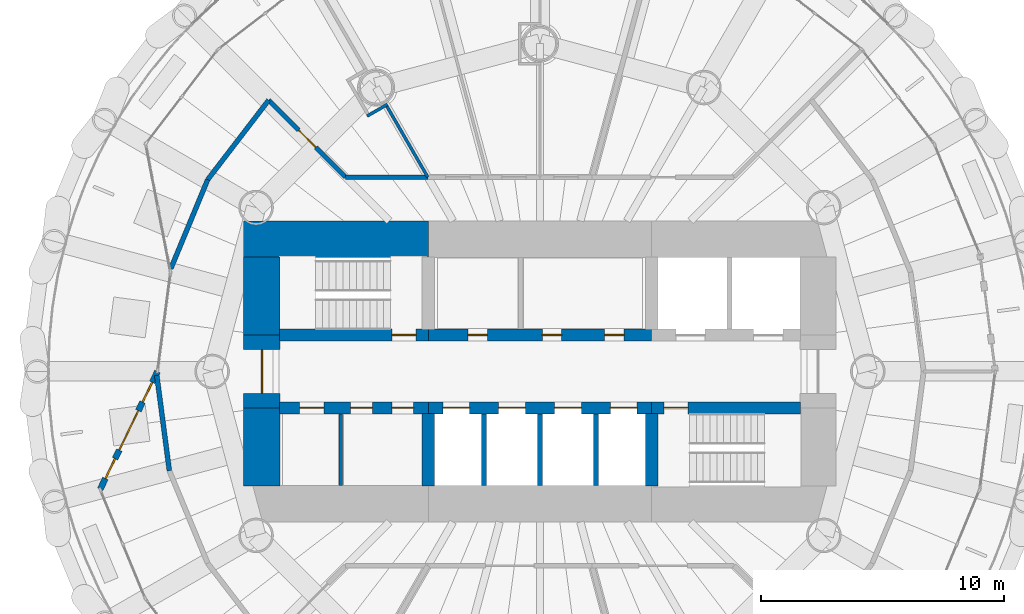
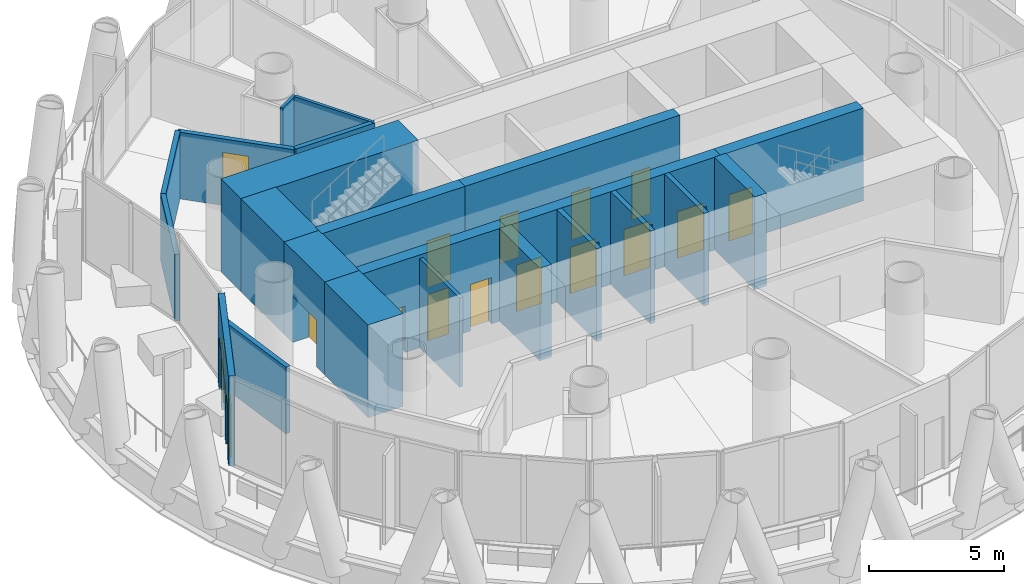
# One storey, part 9 of 15: 23 walls, 15 doors, 2 windows, 17 openings.
"""IFC4 building model written with IfcOpenShell, lengths in metres."""

from ifc_helpers import new_model, si_unit, direction, frame, frame_2d, origin, place, context, subcontext, project, spatial, rectangle, extrude, material, layer, layer_set, type_object, element, fill, save


model = new_model("IFC4")

# Units and contexts
model_context = context("Model", 3, precision=1e-05, world=origin(), true_north=direction((0.0, 1.0)))
body_context = subcontext(model_context, "Body", "Model", "MODEL_VIEW")
ifc_project = project(units=[si_unit("LENGTHUNIT", "METRE"), si_unit("AREAUNIT", "SQUARE_METRE"), si_unit("VOLUMEUNIT", "CUBIC_METRE"), si_unit("PLANEANGLEUNIT", "RADIAN"), si_unit("MASSUNIT", "GRAM", prefix="KILO")], contexts=[model_context])

# Site, building, storey
site_placement = place(None, origin())
site = spatial("IfcSite", under=ifc_project, at=site_placement, CompositionType="ELEMENT")
building_placement = place(site_placement, origin())
building = spatial("IfcBuilding", under=site, at=building_placement, Name="Qaws Media Tower", CompositionType="ELEMENT")
storey_placement = place(building_placement, frame((0.0, 0.0, 273.800048828125)))
storey = spatial("IfcBuildingStorey", under=building, at=storey_placement, Name="L63", CompositionType="ELEMENT", Elevation=273.800048828125)

# Wall, openings, door, windows
ifc_material_1 = material(Name="Precast concrete, exposed finish", Category="concrete")
ifc_layer_1 = layer(ifc_material_1, 0.25)
ifc_layer_set_1 = layer_set([ifc_layer_1], Name="Balcony door wall 250")
wall_type_1 = type_object("IfcWallType", Name="Balcony door wall 250", PredefinedType="SOLIDWALL", material=ifc_layer_set_1)
wall_1_placement = place(storey_placement, frame((44.25, 50.0, 0.0), z_axis=(0.0, 0.0, 1.0), x_axis=(-0.437506254462, -0.899215367588, 0.0)))
wall_1 = element("IfcWall", 1, at=wall_1_placement, inside=storey, type_object=wall_type_1, Name="W288 EW1 balcony door wall L63-13", PredefinedType="SOLIDWALL", context=body_context, shape_type="SweptSolid", body=[
    extrude(rectangle(XDim=5.396728515625, YDim=0.25, at=frame_2d((2.6982421875, 0.0))), origin(), (0.0, 0.0, 1.0), 4.0400390625),
])
opening_1_placement = place(wall_1_placement, frame((1.79833984375, 0.0, 0.0)))
opening_1 = element("IfcOpeningElement", 2, at=opening_1_placement, cuts=wall_1, Name="Opening D7", PredefinedType="OPENING", context=body_context, shape_type="SweptSolid", body=[
    extrude(rectangle(XDim=1.800048828125, YDim=2.39990234375, at=frame_2d((0.89990234375, 1.199951171875))), frame((0.0, 0.135009765625, 0.0), z_axis=(0.0, -1.0, 0.0), x_axis=(1.0, 0.0, 0.0)), (0.0, 0.0, 1.0), 0.27001953125),
])
opening_2_placement = place(wall_1_placement, frame((0.498291015625, 0.0, 0.0)))
opening_2 = element("IfcOpeningElement", 3, at=opening_2_placement, cuts=wall_1, Name="Opening W7", PredefinedType="OPENING", context=body_context, shape_type="SweptSolid", body=[
    extrude(rectangle(XDim=0.89990234375, YDim=2.39990234375, at=frame_2d((0.449951171875, 1.199951171875))), frame((0.0, 0.135009765625, 0.0), z_axis=(0.0, -1.0, 0.0), x_axis=(1.0, 0.0, 0.0)), (0.0, 0.0, 1.0), 0.27001953125),
])
opening_3_placement = place(wall_1_placement, frame((3.998291015625, 0.0, 0.0)))
opening_3 = element("IfcOpeningElement", 4, at=opening_3_placement, cuts=wall_1, Name="Opening W7", PredefinedType="OPENING", context=body_context, shape_type="SweptSolid", body=[
    extrude(rectangle(XDim=0.89990234375, YDim=2.39990234375, at=frame_2d((0.449951171875, 1.199951171875))), frame((0.0, 0.135009765625, 0.0), z_axis=(0.0, -1.0, 0.0), x_axis=(1.0, 0.0, 0.0)), (0.0, 0.0, 1.0), 0.27001953125),
])
ifc_material_2 = material(Name="Aluminium and clear glass", Category="aluminium")
door_type_1 = type_object("IfcDoorType", Name="Balcony door pair 1800", OperationType="DOUBLE_DOOR_SLIDING", PredefinedType="DOOR", material=ifc_material_2)
door_1_placement = place(opening_1_placement, origin())
door_1 = element("IfcDoor", 5, at=door_1_placement, inside=storey, type_object=door_type_1, Name="D7 balcony door L63-13 in wall W288", OperationType="DOUBLE_DOOR_SLIDING", OverallHeight=2.39990234375, OverallWidth=1.800048828125, PredefinedType="DOOR", context=body_context, shape_type="SweptSolid", body=[
    extrude(rectangle(XDim=1.800048828125, YDim=2.39990234375, at=frame_2d((0.89990234375, 1.199951171875))), frame((0.0, 0.02490234375, 0.0), z_axis=(0.0, -1.0, 0.0), x_axis=(1.0, 0.0, 0.0)), (0.0, 0.0, 1.0), 0.050048828125),
])
fill(opening_1, door_1)
ifc_material_3 = material(Name="Aluminium and clear glass", Category="aluminium")
window_type = type_object("IfcWindowType", Name="Balcony side window 900", PartitioningType="SINGLE_PANEL", PredefinedType="WINDOW", material=ifc_material_3)
window_1_placement = place(opening_2_placement, origin())
window_1 = element("IfcWindow", 6, at=window_1_placement, inside=storey, type_object=window_type, Name="W1 balcony side light L63-13L", OverallHeight=2.39990234375, OverallWidth=0.89990234375, PartitioningType="SINGLE_PANEL", PredefinedType="WINDOW", context=body_context, shape_type="SweptSolid", body=[
    extrude(rectangle(XDim=0.89990234375, YDim=2.39990234375, at=frame_2d((0.449951171875, 1.199951171875))), frame((0.0, 0.030029296875, 0.0), z_axis=(0.0, -1.0, 0.0), x_axis=(1.0, 0.0, 0.0)), (0.0, 0.0, 1.0), 0.06005859375),
])
fill(opening_2, window_1)
window_2_placement = place(opening_3_placement, origin())
window_2 = element("IfcWindow", 7, at=window_2_placement, inside=storey, type_object=window_type, Name="W1 balcony side light L63-13R", OverallHeight=2.39990234375, OverallWidth=0.89990234375, PartitioningType="SINGLE_PANEL", PredefinedType="WINDOW", context=body_context, shape_type="SweptSolid", body=[
    extrude(rectangle(XDim=0.89990234375, YDim=2.39990234375, at=frame_2d((0.449951171875, 1.199951171875))), frame((0.0, 0.030029296875, 0.0), z_axis=(0.0, -1.0, 0.0), x_axis=(1.0, 0.0, 0.0)), (0.0, 0.0, 1.0), 0.06005859375),
])
fill(opening_3, window_2)

# Wall, opening, door
ifc_material_4 = material(Name="Concrete C60/75", Category="concrete")
ifc_layer_2 = layer(ifc_material_4, 0.5)
ifc_layer_set_2 = layer_set([ifc_layer_2], Name="Core inner wall 500")
wall_type_2 = type_object("IfcWallType", Name="Core inner wall 500", PredefinedType="SHEAR", material=ifc_layer_set_2)
wall_2_placement = place(storey_placement, frame((49.280029296875, 51.5, 0.0), z_axis=(0.0, 0.0, 1.0), x_axis=(1.0, 0.0, 0.0)))
wall_2 = element("IfcWall", 8, at=wall_2_placement, inside=storey, type_object=wall_type_2, Name="W347 SW12 core wall SPNW L63", PredefinedType="SHEAR", context=body_context, shape_type="SweptSolid", body=[
    extrude(rectangle(XDim=6.119873046875, YDim=0.5, at=frame_2d((3.06005859375, 0.0))), origin(), (0.0, 0.0, 1.0), 4.199951171875),
])
opening_4_placement = place(wall_2_placement, frame((4.6201171875, 0.0, 0.0)))
opening_4 = element("IfcOpeningElement", 9, at=opening_4_placement, cuts=wall_2, Name="Opening D1", PredefinedType="OPENING", context=body_context, shape_type="SweptSolid", body=[
    extrude(rectangle(XDim=1.0, YDim=2.10009765625, at=frame_2d((0.5, 1.050048828125))), frame((0.0, 0.260009765625, 0.0), z_axis=(0.0, -1.0, 0.0), x_axis=(1.0, 0.0, 0.0)), (0.0, 0.0, 1.0), 0.52001953125),
])
ifc_material_5 = material(Name="Steel, fire rated", Category="steel")
door_type_2 = type_object("IfcDoorType", Name="Stair door 1000 FD120", OperationType="SINGLE_SWING_LEFT", PredefinedType="DOOR", material=ifc_material_5)
door_2_placement = place(opening_4_placement, origin())
door_2 = element("IfcDoor", 10, at=door_2_placement, inside=storey, type_object=door_type_2, Name="D1 stair S1 door L63 in wall W347", OperationType="SINGLE_SWING_LEFT", OverallHeight=2.10009765625, OverallWidth=1.0, PredefinedType="DOOR", context=body_context, shape_type="SweptSolid", body=[
    extrude(rectangle(XDim=1.0, YDim=2.10009765625, at=frame_2d((0.5, 1.050048828125))), frame((0.0, 0.02490234375, 0.0), z_axis=(0.0, -1.0, 0.0), x_axis=(1.0, 0.0, 0.0)), (0.0, 0.0, 1.0), 0.050048828125),
])
fill(opening_4, door_2)

# Wall, openings, doors
wall_3_placement = place(storey_placement, frame((55.39990234375, 51.5, 0.0), z_axis=(0.0, 0.0, 1.0), x_axis=(1.0, 0.0, 0.0)))
wall_3 = element("IfcWall", 11, at=wall_3_placement, inside=storey, type_object=wall_type_2, Name="W332 SW12 core wall SPN L63", PredefinedType="SHEAR", context=body_context, shape_type="SweptSolid", body=[
    extrude(rectangle(XDim=9.2001953125, YDim=0.5, at=frame_2d((4.60009765625, 0.0))), origin(), (0.0, 0.0, 1.0), 4.199951171875),
])
opening_5_placement = place(wall_3_placement, frame((1.62939453125, 0.0, 0.0)))
opening_5 = element("IfcOpeningElement", 12, at=opening_5_placement, cuts=wall_3, Name="Opening D23", PredefinedType="OPENING", context=body_context, shape_type="SweptSolid", body=[
    extrude(rectangle(XDim=0.800048828125, YDim=2.10009765625, at=frame_2d((0.39990234375, 1.050048828125))), frame((0.0, 0.260009765625, 0.0), z_axis=(0.0, -1.0, 0.0), x_axis=(1.0, 0.0, 0.0)), (0.0, 0.0, 1.0), 0.52001953125),
])
opening_6_placement = place(wall_3_placement, frame((4.6943359375, 0.0, 0.0)))
opening_6 = element("IfcOpeningElement", 13, at=opening_6_placement, cuts=wall_3, Name="Opening D23", PredefinedType="OPENING", context=body_context, shape_type="SweptSolid", body=[
    extrude(rectangle(XDim=0.800048828125, YDim=2.10009765625, at=frame_2d((0.39990234375, 1.050048828125))), frame((0.0, 0.260009765625, 0.0), z_axis=(0.0, -1.0, 0.0), x_axis=(1.0, 0.0, 0.0)), (0.0, 0.0, 1.0), 0.52001953125),
])
opening_7_placement = place(wall_3_placement, frame((7.264892578125, 0.0, 0.0)))
opening_7 = element("IfcOpeningElement", 14, at=opening_7_placement, cuts=wall_3, Name="Opening D23", PredefinedType="OPENING", context=body_context, shape_type="SweptSolid", body=[
    extrude(rectangle(XDim=0.800048828125, YDim=2.10009765625, at=frame_2d((0.39990234375, 1.050048828125))), frame((0.0, 0.260009765625, 0.0), z_axis=(0.0, -1.0, 0.0), x_axis=(1.0, 0.0, 0.0)), (0.0, 0.0, 1.0), 0.52001953125),
])
ifc_material_6 = material(Name="Steel, fire rated", Category="steel")
door_type_3 = type_object("IfcDoorType", Name="Core room door 800x2100", OperationType="SINGLE_SWING_LEFT", PredefinedType="DOOR", material=ifc_material_6)
door_3_placement = place(opening_5_placement, origin())
door_3 = element("IfcDoor", 15, at=door_3_placement, inside=storey, type_object=door_type_3, Name="D23 Ladies toilets door L63 in wall W332", OperationType="SINGLE_SWING_LEFT", OverallHeight=2.10009765625, OverallWidth=0.800048828125, PredefinedType="DOOR", context=body_context, shape_type="SweptSolid", body=[
    extrude(rectangle(XDim=0.800048828125, YDim=2.10009765625, at=frame_2d((0.39990234375, 1.050048828125))), frame((0.0, 0.02490234375, 0.0), z_axis=(0.0, -1.0, 0.0), x_axis=(1.0, 0.0, 0.0)), (0.0, 0.0, 1.0), 0.050048828125),
])
fill(opening_5, door_3)
door_4_placement = place(opening_6_placement, origin())
door_4 = element("IfcDoor", 16, at=door_4_placement, inside=storey, type_object=door_type_3, Name="D23 Gents toilets door L63 2 in wall W332", OperationType="SINGLE_SWING_LEFT", OverallHeight=2.10009765625, OverallWidth=0.800048828125, PredefinedType="DOOR", context=body_context, shape_type="SweptSolid", body=[
    extrude(rectangle(XDim=0.800048828125, YDim=2.10009765625, at=frame_2d((0.39990234375, 1.050048828125))), frame((0.0, 0.02490234375, 0.0), z_axis=(0.0, -1.0, 0.0), x_axis=(1.0, 0.0, 0.0)), (0.0, 0.0, 1.0), 0.050048828125),
])
fill(opening_6, door_4)
door_5_placement = place(opening_7_placement, origin())
door_5 = element("IfcDoor", 17, at=door_5_placement, inside=storey, type_object=door_type_3, Name="D23 Gents toilets door L63 3 in wall W332", OperationType="SINGLE_SWING_LEFT", OverallHeight=2.10009765625, OverallWidth=0.800048828125, PredefinedType="DOOR", context=body_context, shape_type="SweptSolid", body=[
    extrude(rectangle(XDim=0.800048828125, YDim=2.10009765625, at=frame_2d((0.39990234375, 1.050048828125))), frame((0.0, 0.02490234375, 0.0), z_axis=(0.0, -1.0, 0.0), x_axis=(1.0, 0.0, 0.0)), (0.0, 0.0, 1.0), 0.050048828125),
])
fill(opening_7, door_5)

wall_4_placement = place(storey_placement, frame((49.280029296875, 48.5, 0.0), z_axis=(0.0, 0.0, 1.0), x_axis=(1.0, 0.0, 0.0)))
wall_4 = element("IfcWall", 18, at=wall_4_placement, inside=storey, type_object=wall_type_2, Name="W346 SW12 core wall SPSW L63", PredefinedType="SHEAR", context=body_context, shape_type="SweptSolid", body=[
    extrude(rectangle(XDim=6.119873046875, YDim=0.5, at=frame_2d((3.06005859375, 0.0))), origin(), (0.0, 0.0, 1.0), 4.199951171875),
])
opening_8_placement = place(wall_4_placement, frame((0.820068359375, 0.0, 0.0)))
opening_8 = element("IfcOpeningElement", 19, at=opening_8_placement, cuts=wall_4, Name="Opening D4", PredefinedType="OPENING", context=body_context, shape_type="SweptSolid", body=[
    extrude(rectangle(XDim=1.0, YDim=2.10009765625, at=frame_2d((0.5, 1.050048828125))), frame((0.0, 0.260009765625, 0.0), z_axis=(0.0, -1.0, 0.0), x_axis=(1.0, 0.0, 0.0)), (0.0, 0.0, 1.0), 0.52001953125),
])
opening_9_placement = place(wall_4_placement, frame((2.919921875, 0.0, 0.0)))
opening_9 = element("IfcOpeningElement", 20, at=opening_9_placement, cuts=wall_4, Name="Opening D25", PredefinedType="OPENING", context=body_context, shape_type="SweptSolid", body=[
    extrude(rectangle(XDim=0.89990234375, YDim=2.10009765625, at=frame_2d((0.449951171875, 1.050048828125))), frame((0.0, 0.260009765625, 0.0), z_axis=(0.0, -1.0, 0.0), x_axis=(1.0, 0.0, 0.0)), (0.0, 0.0, 1.0), 0.52001953125),
])
opening_10_placement = place(wall_4_placement, frame((4.6201171875, 0.0, 0.0)))
opening_10 = element("IfcOpeningElement", 21, at=opening_10_placement, cuts=wall_4, Name="Opening D25", PredefinedType="OPENING", context=body_context, shape_type="SweptSolid", body=[
    extrude(rectangle(XDim=0.89990234375, YDim=2.10009765625, at=frame_2d((0.449951171875, 1.050048828125))), frame((0.0, 0.260009765625, 0.0), z_axis=(0.0, -1.0, 0.0), x_axis=(1.0, 0.0, 0.0)), (0.0, 0.0, 1.0), 0.52001953125),
])
ifc_material_7 = material(Name="Timber veneered", Category="wood")
door_type_4 = type_object("IfcDoorType", Name="Accessible WC door 1000", OperationType="SLIDING_TO_LEFT", PredefinedType="DOOR", material=ifc_material_7)
door_6_placement = place(opening_8_placement, origin())
door_6 = element("IfcDoor", 22, at=door_6_placement, inside=storey, type_object=door_type_4, Name="D4 toilet door 1 L63 in wall W346", OperationType="SLIDING_TO_LEFT", OverallHeight=2.10009765625, OverallWidth=1.0, PredefinedType="DOOR", context=body_context, shape_type="SweptSolid", body=[
    extrude(rectangle(XDim=1.0, YDim=2.10009765625, at=frame_2d((0.5, 1.050048828125))), frame((0.0, 0.02490234375, 0.0), z_axis=(0.0, -1.0, 0.0), x_axis=(1.0, 0.0, 0.0)), (0.0, 0.0, 1.0), 0.050048828125),
])
fill(opening_8, door_6)
ifc_material_8 = material(Name="Steel, fire rated", Category="steel")
door_type_5 = type_object("IfcDoorType", Name="Core service door 900", OperationType="SINGLE_SWING_RIGHT", PredefinedType="DOOR", material=ifc_material_8)
door_7_placement = place(opening_9_placement, origin())
door_7 = element("IfcDoor", 23, at=door_7_placement, inside=storey, type_object=door_type_5, Name="D25 toilet door 2 L63 in wall W346", OperationType="SINGLE_SWING_RIGHT", OverallHeight=2.10009765625, OverallWidth=0.89990234375, PredefinedType="DOOR", context=body_context, shape_type="SweptSolid", body=[
    extrude(rectangle(XDim=0.89990234375, YDim=2.10009765625, at=frame_2d((0.449951171875, 1.050048828125))), frame((0.0, 0.02490234375, 0.0), z_axis=(0.0, -1.0, 0.0), x_axis=(1.0, 0.0, 0.0)), (0.0, 0.0, 1.0), 0.050048828125),
])
fill(opening_9, door_7)
door_8_placement = place(opening_10_placement, origin())
door_8 = element("IfcDoor", 24, at=door_8_placement, inside=storey, type_object=door_type_5, Name="D25 toilet door 3 L63 in wall W346", OperationType="SINGLE_SWING_RIGHT", OverallHeight=2.10009765625, OverallWidth=0.89990234375, PredefinedType="DOOR", context=body_context, shape_type="SweptSolid", body=[
    extrude(rectangle(XDim=0.89990234375, YDim=2.10009765625, at=frame_2d((0.449951171875, 1.050048828125))), frame((0.0, 0.02490234375, 0.0), z_axis=(0.0, -1.0, 0.0), x_axis=(1.0, 0.0, 0.0)), (0.0, 0.0, 1.0), 0.050048828125),
])
fill(opening_10, door_8)

wall_5_placement = place(storey_placement, frame((55.39990234375, 48.5, 0.0), z_axis=(0.0, 0.0, 1.0), x_axis=(1.0, 0.0, 0.0)))
wall_5 = element("IfcWall", 25, at=wall_5_placement, inside=storey, type_object=wall_type_2, Name="W331 SW12 core wall SPS L63", PredefinedType="SHEAR", context=body_context, shape_type="SweptSolid", body=[
    extrude(rectangle(XDim=9.2001953125, YDim=0.5, at=frame_2d((4.60009765625, 0.0))), origin(), (0.0, 0.0, 1.0), 4.199951171875),
])
opening_11_placement = place(wall_5_placement, frame((0.60009765625, 0.0, 0.0)))
opening_11 = element("IfcOpeningElement", 26, at=opening_11_placement, cuts=wall_5, Name="Opening LD", PredefinedType="OPENING", context=body_context, shape_type="SweptSolid", body=[
    extrude(rectangle(XDim=1.10009765625, YDim=2.10009765625, at=frame_2d((0.550048828125, 1.050048828125))), frame((0.0, 0.260009765625, 0.0), z_axis=(0.0, -1.0, 0.0), x_axis=(1.0, 0.0, 0.0)), (0.0, 0.0, 1.0), 0.52001953125),
])
opening_12_placement = place(wall_5_placement, frame((2.89990234375, 0.0, 0.0)))
opening_12 = element("IfcOpeningElement", 27, at=opening_12_placement, cuts=wall_5, Name="Opening LD", PredefinedType="OPENING", context=body_context, shape_type="SweptSolid", body=[
    extrude(rectangle(XDim=1.10009765625, YDim=2.10009765625, at=frame_2d((0.550048828125, 1.050048828125))), frame((0.0, 0.260009765625, 0.0), z_axis=(0.0, -1.0, 0.0), x_axis=(1.0, 0.0, 0.0)), (0.0, 0.0, 1.0), 0.52001953125),
])
opening_13_placement = place(wall_5_placement, frame((5.199951171875, 0.0, 0.0)))
opening_13 = element("IfcOpeningElement", 28, at=opening_13_placement, cuts=wall_5, Name="Opening LD", PredefinedType="OPENING", context=body_context, shape_type="SweptSolid", body=[
    extrude(rectangle(XDim=1.10009765625, YDim=2.10009765625, at=frame_2d((0.550048828125, 1.050048828125))), frame((0.0, 0.260009765625, 0.0), z_axis=(0.0, -1.0, 0.0), x_axis=(1.0, 0.0, 0.0)), (0.0, 0.0, 1.0), 0.52001953125),
])
opening_14_placement = place(wall_5_placement, frame((7.5, 0.0, 0.0)))
opening_14 = element("IfcOpeningElement", 29, at=opening_14_placement, cuts=wall_5, Name="Opening LD", PredefinedType="OPENING", context=body_context, shape_type="SweptSolid", body=[
    extrude(rectangle(XDim=1.10009765625, YDim=2.10009765625, at=frame_2d((0.550048828125, 1.050048828125))), frame((0.0, 0.260009765625, 0.0), z_axis=(0.0, -1.0, 0.0), x_axis=(1.0, 0.0, 0.0)), (0.0, 0.0, 1.0), 0.52001953125),
])
ifc_material_9 = material(Name="Steel, fire rated", Category="steel")
door_type_6 = type_object("IfcDoorType", Name="Lift landing door 1100", OperationType="SLIDING_TO_LEFT", PredefinedType="DOOR", material=ifc_material_9)
door_9_placement = place(opening_11_placement, origin())
door_9 = element("IfcDoor", 30, at=door_9_placement, inside=storey, type_object=door_type_6, Name="P5 landing door L63 in wall W331", OperationType="SLIDING_TO_LEFT", OverallHeight=2.10009765625, OverallWidth=1.10009765625, PredefinedType="DOOR", context=body_context, shape_type="SweptSolid", body=[
    extrude(rectangle(XDim=1.10009765625, YDim=2.10009765625, at=frame_2d((0.550048828125, 1.050048828125))), frame((0.0, 0.02490234375, 0.0), z_axis=(0.0, -1.0, 0.0), x_axis=(1.0, 0.0, 0.0)), (0.0, 0.0, 1.0), 0.050048828125),
])
fill(opening_11, door_9)
door_10_placement = place(opening_12_placement, origin())
door_10 = element("IfcDoor", 31, at=door_10_placement, inside=storey, type_object=door_type_6, Name="P6 landing door L63 in wall W331", OperationType="SLIDING_TO_LEFT", OverallHeight=2.10009765625, OverallWidth=1.10009765625, PredefinedType="DOOR", context=body_context, shape_type="SweptSolid", body=[
    extrude(rectangle(XDim=1.10009765625, YDim=2.10009765625, at=frame_2d((0.550048828125, 1.050048828125))), frame((0.0, 0.02490234375, 0.0), z_axis=(0.0, -1.0, 0.0), x_axis=(1.0, 0.0, 0.0)), (0.0, 0.0, 1.0), 0.050048828125),
])
fill(opening_12, door_10)
door_11_placement = place(opening_13_placement, origin())
door_11 = element("IfcDoor", 32, at=door_11_placement, inside=storey, type_object=door_type_6, Name="P7 landing door L63 in wall W331", OperationType="SLIDING_TO_LEFT", OverallHeight=2.10009765625, OverallWidth=1.10009765625, PredefinedType="DOOR", context=body_context, shape_type="SweptSolid", body=[
    extrude(rectangle(XDim=1.10009765625, YDim=2.10009765625, at=frame_2d((0.550048828125, 1.050048828125))), frame((0.0, 0.02490234375, 0.0), z_axis=(0.0, -1.0, 0.0), x_axis=(1.0, 0.0, 0.0)), (0.0, 0.0, 1.0), 0.050048828125),
])
fill(opening_13, door_11)
door_12_placement = place(opening_14_placement, origin())
door_12 = element("IfcDoor", 33, at=door_12_placement, inside=storey, type_object=door_type_6, Name="P8 landing door L63 in wall W331", OperationType="SLIDING_TO_LEFT", OverallHeight=2.10009765625, OverallWidth=1.10009765625, PredefinedType="DOOR", context=body_context, shape_type="SweptSolid", body=[
    extrude(rectangle(XDim=1.10009765625, YDim=2.10009765625, at=frame_2d((0.550048828125, 1.050048828125))), frame((0.0, 0.02490234375, 0.0), z_axis=(0.0, -1.0, 0.0), x_axis=(1.0, 0.0, 0.0)), (0.0, 0.0, 1.0), 0.050048828125),
])
fill(opening_14, door_12)

# Wall, opening, door
wall_6_placement = place(storey_placement, frame((64.60009765625, 48.5, 0.0), z_axis=(0.0, 0.0, 1.0), x_axis=(1.0, 0.0, 0.0)))
wall_6 = element("IfcWall", 34, at=wall_6_placement, inside=storey, type_object=wall_type_2, Name="W351 SW12 core wall SPSE L63", PredefinedType="SHEAR", context=body_context, shape_type="SweptSolid", body=[
    extrude(rectangle(XDim=6.119873046875, YDim=0.5, at=frame_2d((3.06005859375, 0.0))), origin(), (0.0, 0.0, 1.0), 4.199951171875),
])
opening_15_placement = place(wall_6_placement, frame((0.5, 0.0, 0.0)))
opening_15 = element("IfcOpeningElement", 35, at=opening_15_placement, cuts=wall_6, Name="Opening D1", PredefinedType="OPENING", context=body_context, shape_type="SweptSolid", body=[
    extrude(rectangle(XDim=1.0, YDim=2.10009765625, at=frame_2d((0.5, 1.050048828125))), frame((0.0, 0.260009765625, 0.0), z_axis=(0.0, -1.0, 0.0), x_axis=(1.0, 0.0, 0.0)), (0.0, 0.0, 1.0), 0.52001953125),
])
door_13_placement = place(opening_15_placement, origin())
door_13 = element("IfcDoor", 36, at=door_13_placement, inside=storey, type_object=door_type_2, Name="D1 stair S2 door L63 in wall W351", OperationType="SINGLE_SWING_LEFT", OverallHeight=2.10009765625, OverallWidth=1.0, PredefinedType="DOOR", context=body_context, shape_type="SweptSolid", body=[
    extrude(rectangle(XDim=1.0, YDim=2.10009765625, at=frame_2d((0.5, 1.050048828125))), frame((0.0, 0.02490234375, 0.0), z_axis=(0.0, -1.0, 0.0), x_axis=(1.0, 0.0, 0.0)), (0.0, 0.0, 1.0), 0.050048828125),
])
fill(opening_15, door_13)

# Walls
for number, where, z_axis, x_axis, name in (
    (37, (55.39990234375, 48.27001953125, 0.0), (0.0, 0.0, 1.0), (0.0, -1.0, 0.0), "W348 SW12 core wall XSW L63"),
    (38, (64.60009765625, 48.27001953125, 0.0), (0.0, 0.0, 1.0), (0.0, -1.0, 0.0), "W350 SW12 core wall XSE L63"),
):
    element("IfcWall", number, at=place(storey_placement, frame(where, z_axis=z_axis, x_axis=x_axis)), inside=storey, type_object=wall_type_2, Name=name, PredefinedType="SHEAR", context=body_context, shape_type="SweptSolid", body=[
        extrude(rectangle(XDim=2.989990234375, YDim=0.5, at=frame_2d((1.4951171875, 0.0))), origin(), (0.0, 0.0, 1.0), 4.199951171875),
    ])
ifc_material_10 = material(Name="Concrete C60/75", Category="concrete")
ifc_layer_3 = layer(ifc_material_10, 1.5)
ifc_layer_set_3 = layer_set([ifc_layer_3], Name="Core wall 1500")
wall_type_3 = type_object("IfcWallType", Name="Core wall 1500", PredefinedType="SHEAR", material=ifc_layer_set_3)
wall_7_placement = place(storey_placement, frame((47.800048828125, 55.449951171875, 0.0), z_axis=(0.0, 0.0, 1.0), x_axis=(1.0, 0.0, 0.0)))
element("IfcWall", 39, at=wall_7_placement, inside=storey, type_object=wall_type_3, Name="W377 SW13 core wall NW L63", PredefinedType="SHEAR", context=body_context, shape_type="SweptSolid", body=[
    extrude(rectangle(XDim=7.599853515625, YDim=1.5, at=frame_2d((3.7998046875, 0.0))), origin(), (0.0, 0.0, 1.0), 4.199951171875),
])
wall_8_placement = place(storey_placement, frame((48.550048828125, 45.280029296875, 0.0), z_axis=(0.0, 0.0, 1.0), x_axis=(0.0, 1.0, 0.0)))
element("IfcWall", 40, at=wall_8_placement, inside=storey, type_object=wall_type_3, Name="W378 SW13 core wall WS L63", PredefinedType="SHEAR", context=body_context, shape_type="SweptSolid", body=[
    extrude(rectangle(XDim=3.219970703125, YDim=1.5, at=frame_2d((1.60986328125, 0.0))), origin(), (0.0, 0.0, 1.0), 4.199951171875),
])

# Wall, opening, door
wall_9_placement = place(storey_placement, frame((48.550048828125, 48.5, 0.0), z_axis=(0.0, 0.0, 1.0), x_axis=(0.0, 1.0, 0.0)))
wall_9 = element("IfcWall", 41, at=wall_9_placement, inside=storey, type_object=wall_type_3, Name="W379 SW13 core wall W L63", PredefinedType="SHEAR", context=body_context, shape_type="SweptSolid", body=[
    extrude(rectangle(XDim=3.0, YDim=1.5, at=frame_2d((1.5, 0.0))), origin(), (0.0, 0.0, 1.0), 4.199951171875),
])
opening_16_placement = place(wall_9_placement, frame((0.60009765625, 0.0, 0.0)))
opening_16 = element("IfcOpeningElement", 42, at=opening_16_placement, cuts=wall_9, Name="Opening D2", PredefinedType="OPENING", context=body_context, shape_type="SweptSolid", body=[
    extrude(rectangle(XDim=1.800048828125, YDim=2.10009765625, at=frame_2d((0.89990234375, 1.050048828125))), frame((0.0, 0.760009765625, 0.0), z_axis=(0.0, -1.0, 0.0), x_axis=(1.0, 0.0, 0.0)), (0.0, 0.0, 1.0), 1.52001953125),
])
ifc_material_11 = material(Name="Steel and glass, fire rated", Category="steel")
door_type_7 = type_object("IfcDoorType", Name="Lobby door pair 1800 FD60", OperationType="DOUBLE_DOOR_DOUBLE_SWING", PredefinedType="DOOR", material=ifc_material_11)
door_14_placement = place(opening_16_placement, origin())
door_14 = element("IfcDoor", 43, at=door_14_placement, inside=storey, type_object=door_type_7, Name="D2 core lobby door W L63 in wall W379", OperationType="DOUBLE_DOOR_DOUBLE_SWING", OverallHeight=2.10009765625, OverallWidth=1.800048828125, PredefinedType="DOOR", context=body_context, shape_type="SweptSolid", body=[
    extrude(rectangle(XDim=1.800048828125, YDim=2.10009765625, at=frame_2d((0.89990234375, 1.050048828125))), frame((0.0, 0.02490234375, 0.0), z_axis=(0.0, -1.0, 0.0), x_axis=(1.0, 0.0, 0.0)), (0.0, 0.0, 1.0), 0.050048828125),
])
fill(opening_16, door_14)

# Walls
wall_10_placement = place(storey_placement, frame((48.550048828125, 51.5, 0.0), z_axis=(0.0, 0.0, 1.0), x_axis=(0.0, 1.0, 0.0)))
element("IfcWall", 44, at=wall_10_placement, inside=storey, type_object=wall_type_3, Name="W380 SW13 core wall WN L63", PredefinedType="SHEAR", context=body_context, shape_type="SweptSolid", body=[
    extrude(rectangle(XDim=3.219970703125, YDim=1.5, at=frame_2d((1.60986328125, 0.0))), origin(), (0.0, 0.0, 1.0), 4.199951171875),
])
ifc_material_12 = material(Name="Two layers gypsum board each side on 75 studs, insulated", Category="gypsum")
ifc_layer_4 = layer(ifc_material_12, 0.125)
ifc_layer_set_4 = layer_set([ifc_layer_4], Name="Meeting room partition 125 Rw 48")
wall_type_4 = type_object("IfcWallType", Name="Meeting room partition 125 Rw 48", PredefinedType="PARTITIONING", material=ifc_layer_set_4)
wall_11_placement = place(storey_placement, frame((53.720947265625, 61.000732421875, 0.0), z_axis=(0.0, 0.0, 1.0), x_axis=(-0.866110039299, -0.499853378327, 0.0)))
element("IfcWall", 45, at=wall_11_placement, inside=storey, type_object=wall_type_4, Name="W528 IW5 partition return L63", PredefinedType="PARTITIONING", context=body_context, shape_type="SweptSolid", body=[
    extrude(rectangle(XDim=0.968505859375, YDim=0.125, at=frame_2d((0.484375, 0.0))), origin(), (0.0, 0.0, 1.0), 3.02001953125),
])
wall_12_placement = place(storey_placement, frame((55.3798828125, 58.002197265625, 0.0), z_axis=(0.0, 0.0, 1.0), x_axis=(-0.500003080363, 0.866023625329, 0.0)))
element("IfcWall", 46, at=wall_12_placement, inside=storey, type_object=wall_type_4, Name="W628 IW5 partition L63", PredefinedType="PARTITIONING", context=body_context, shape_type="SweptSolid", body=[
    extrude(rectangle(XDim=3.36376953125, YDim=0.125, at=frame_2d((1.681884765625, 0.0))), origin(), (0.0, 0.0, 1.0), 3.0400390625),
])
ifc_material_13 = material(Name="Gypsum board on galvanised metal studs, acoustic double stud, deflection head", Category="gypsum")
ifc_layer_5 = layer(ifc_material_13, 0.199951171875)
ifc_layer_set_5 = layer_set([ifc_layer_5], Name="Room partition 200")
wall_type_5 = type_object("IfcWallType", Name="Room partition 200", PredefinedType="PARTITIONING", material=ifc_layer_set_5)
for number, where, z_axis, x_axis, name in (
    (47, (44.73828125, 45.91064453125, 0.0), (0.0, 0.0, 1.0), (-0.130532630148, 0.991444013783, 0.0), "W1769 IW3 partition L63"),
    (48, (44.80078125, 54.239990234375, 0.0), (0.0, 0.0, 1.0), (0.382711021727, 0.923868104141, 0.0), "W1770 IW3 partition L63"),
):
    element("IfcWall", number, at=place(storey_placement, frame(where, z_axis=z_axis, x_axis=x_axis)), inside=storey, type_object=wall_type_5, Name=name, PredefinedType="PARTITIONING", context=body_context, shape_type="SweptSolid", body=[
        extrude(rectangle(XDim=3.96142578125, YDim=0.199951171875, at=frame_2d((1.980712890625, 0.0))), origin(), (0.0, 0.0, 1.0), 3.02001953125),
    ])
wall_13_placement = place(storey_placement, frame((46.31689453125, 57.89990234375, 0.0), z_axis=(0.0, 0.0, 1.0), x_axis=(0.608714823874, 0.793389099494, 0.0)))
element("IfcWall", 49, at=wall_13_placement, inside=storey, type_object=wall_type_5, Name="W1755 IW3 partition L63", PredefinedType="PARTITIONING", context=body_context, shape_type="SweptSolid", body=[
    extrude(rectangle(XDim=4.124755859375, YDim=0.199951171875, at=frame_2d((2.0625, 0.0))), origin(), (0.0, 0.0, 1.0), 3.02001953125),
])

# Wall, opening, door
wall_14_placement = place(storey_placement, frame((48.82763671875, 61.17236328125, 0.0), z_axis=(0.0, 0.0, 1.0), x_axis=(0.707106781187, -0.707106781187, 0.0)))
wall_14 = element("IfcWall", 50, at=wall_14_placement, inside=storey, type_object=wall_type_5, Name="W1756 IW3 partition L63", PredefinedType="PARTITIONING", context=body_context, shape_type="SweptSolid", body=[
    extrude(rectangle(XDim=4.486328125, YDim=0.199951171875, at=frame_2d((2.2431640625, 0.0))), origin(), (0.0, 0.0, 1.0), 3.02001953125),
])
opening_17_placement = place(wall_14_placement, frame((1.7431640625, 0.0, 0.0)))
opening_17 = element("IfcOpeningElement", 51, at=opening_17_placement, cuts=wall_14, Name="Opening D13", PredefinedType="OPENING", context=body_context, shape_type="SweptSolid", body=[
    extrude(rectangle(XDim=1.0, YDim=2.39990234375, at=frame_2d((0.5, 1.199951171875))), frame((0.0, 0.10986328125, 0.0), z_axis=(0.0, -1.0, 0.0), x_axis=(1.0, 0.0, 0.0)), (0.0, 0.0, 1.0), 0.219970703125),
])
ifc_material_14 = material(Name="Frameless toughened glass, acoustic seals", Category="glass")
door_type_8 = type_object("IfcDoorType", Name="Glazed meeting room door 1000x2400", OperationType="SINGLE_SWING_LEFT", PredefinedType="DOOR", material=ifc_material_14)
door_15_placement = place(opening_17_placement, origin())
door_15 = element("IfcDoor", 52, at=door_15_placement, inside=storey, type_object=door_type_8, Name="D13 VIP interview room door L63 in wall W1756", OperationType="SINGLE_SWING_LEFT", OverallHeight=2.39990234375, OverallWidth=1.0, PredefinedType="DOOR", context=body_context, shape_type="SweptSolid", body=[
    extrude(rectangle(XDim=1.0, YDim=2.39990234375, at=frame_2d((0.5, 1.199951171875))), frame((0.0, 0.02490234375, 0.0), z_axis=(0.0, -1.0, 0.0), x_axis=(1.0, 0.0, 0.0)), (0.0, 0.0, 1.0), 0.050048828125),
])
fill(opening_17, door_15)

# Walls
wall_15_placement = place(storey_placement, frame((52.0, 58.0, 0.0), z_axis=(0.0, 0.0, 1.0), x_axis=(1.0, 0.0, 0.0)))
element("IfcWall", 53, at=wall_15_placement, inside=storey, type_object=wall_type_5, Name="W1717 IW3 partition L63", PredefinedType="PARTITIONING", context=body_context, shape_type="SweptSolid", body=[
    extrude(rectangle(XDim=3.381103515625, YDim=0.199951171875, at=frame_2d((1.6904296875, 0.0))), origin(), (0.0, 0.0, 1.0), 3.0400390625),
])
ifc_material_15 = material(Name="Fire-rated gypsum board shaft wall on galvanised metal studs, deflection head", Category="gypsum")
ifc_layer_6 = layer(ifc_material_15, 0.199951171875)
ifc_layer_set_6 = layer_set([ifc_layer_6], Name="Shaft wall 200")
wall_type_6 = type_object("IfcWallType", Name="Shaft wall 200", PredefinedType="PARTITIONING", material=ifc_layer_set_6)
for number, where, z_axis, x_axis, name in (
    (54, (57.699951171875, 45.300048828125, 0.0), (0.0, 0.0, 1.0), (0.0, 1.0, 0.0), "W1864 IW1 shaft wall S1 L63"),
    (55, (60.0, 45.300048828125, 0.0), (0.0, 0.0, 1.0), (0.0, 1.0, 0.0), "W1866 IW1 shaft wall S2 L63"),
    (56, (62.300048828125, 45.300048828125, 0.0), (0.0, 0.0, 1.0), (0.0, 1.0, 0.0), "W1868 IW1 shaft wall S3 L63"),
):
    element("IfcWall", number, at=place(storey_placement, frame(where, z_axis=z_axis, x_axis=x_axis)), inside=storey, type_object=wall_type_6, Name=name, PredefinedType="PARTITIONING", context=body_context, shape_type="SweptSolid", body=[
        extrude(rectangle(XDim=2.949951171875, YDim=0.199951171875, at=frame_2d((1.47509765625, 0.0))), origin(), (0.0, 0.0, 1.0), 4.199951171875),
    ])
ifc_material_16 = material(Name="Gypsum board on galvanised metal studs, deflection head", Category="gypsum")
ifc_layer_7 = layer(ifc_material_16, 0.14990234375)
ifc_layer_set_7 = layer_set([ifc_layer_7], Name="WC partition 150")
wall_type_7 = type_object("IfcWallType", Name="WC partition 150", PredefinedType="PARTITIONING", material=ifc_layer_set_7)
wall_16_placement = place(storey_placement, frame((51.800048828125, 45.300048828125, 0.0), z_axis=(0.0, 0.0, 1.0), x_axis=(0.0, 1.0, 0.0)))
element("IfcWall", 57, at=wall_16_placement, inside=storey, type_object=wall_type_7, Name="W1928 IW2 toilet partition 1 L63", PredefinedType="PARTITIONING", context=body_context, shape_type="SweptSolid", body=[
    extrude(rectangle(XDim=2.949951171875, YDim=0.14990234375, at=frame_2d((1.47509765625, 0.0))), origin(), (0.0, 0.0, 1.0), 4.0400390625),
])

save(model, "model.ifc")
